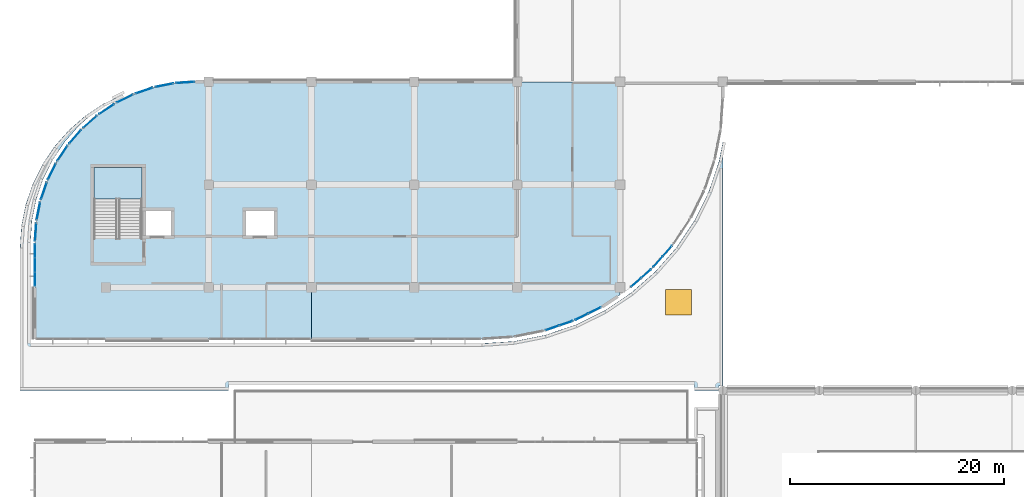
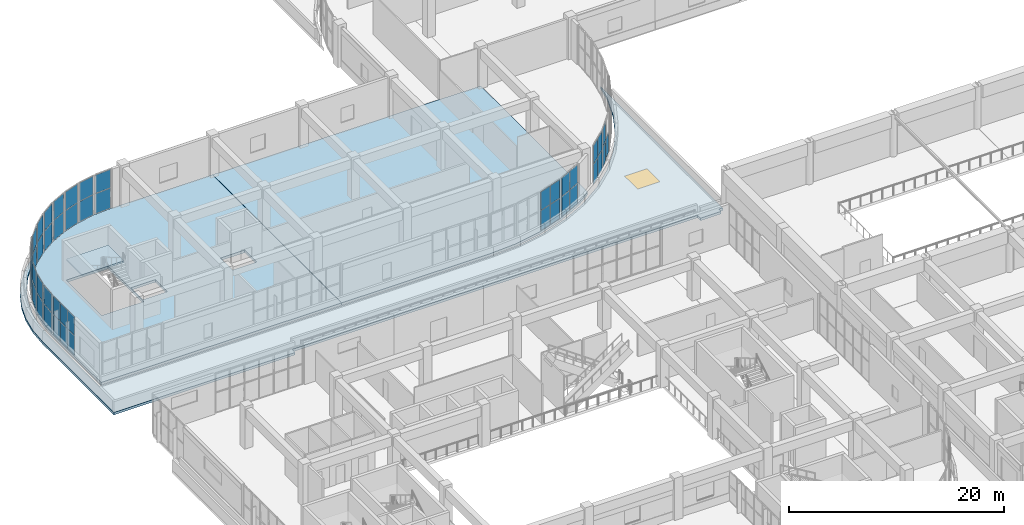
# One storey, part 50 of 96: 45 plates, 4 slabs, 1 window, 1 opening, 18 elements without a shape of their own.
"""IFC4 building model written with IfcOpenShell, lengths in metres."""

import ifcopenshell
import ifcopenshell.guid

model = None  # the IFC model being written
_history = None  # IfcOwnerHistory: only IFC2X3 demands one
_inside = {}  # id of a spatial element -> (the spatial element, [elements in it])
_under = {}  # id of a project, library or spatial element -> (it, [spatial elements below it])
_declared = {}  # id of a project -> (the project, [libraries it declares])
_typed = {}  # id of a type object -> (the type object, [elements of that type])
_made_of = {}  # id of a material, layer set ... -> (it, [elements and type objects made of it])


def new_model(schema):
    """Start an empty IFC model of exactly this schema.

    Asked for "IFC4X3", IfcOpenShell would pick the latest addendum, in which some entities
    have other attributes; the version numbers below select the first issue.
    IFC2X3 requires an IfcOwnerHistory on every rooted entity: one is made here for all.
    """
    global model, _history
    if schema == "IFC4X3":
        model = ifcopenshell.file(schema_version=(4, 3, 0, 0))
    else:
        model = ifcopenshell.file(schema=schema)
    _inside.clear()
    _under.clear()
    _declared.clear()
    _typed.clear()
    _made_of.clear()
    _history = None
    if model.schema == "IFC2X3":
        org = make("IfcOrganization", Name="unknown")
        user = make(
            "IfcPersonAndOrganization",
            ThePerson=make("IfcPerson", FamilyName="unknown"),
            TheOrganization=org,
        )
        app = make(
            "IfcApplication",
            ApplicationDeveloper=org,
            Version="unknown",
            ApplicationFullName="unknown",
            ApplicationIdentifier="unknown",
        )
        _history = make(
            "IfcOwnerHistory",
            OwningUser=user,
            OwningApplication=app,
            ChangeAction="ADDED",
            CreationDate=0,
        )
    return model


def make(cls, **values):
    """One entity of the class cls with the attributes given. An attribute that is None is left unset."""
    return model.create_entity(
        cls, **{name: value for name, value in values.items() if value is not None}
    )


def rooted(cls, **values):
    """An entity with a GlobalId (a new one), such as an element, a storey or a relation."""
    return make(cls, GlobalId=ifcopenshell.guid.new(), OwnerHistory=_history, **values)


def si_unit(unit_type, name, prefix=None):
    """IfcSIUnit, for example si_unit("LENGTHUNIT", "METRE", prefix="MILLI")."""
    return make("IfcSIUnit", UnitType=unit_type, Prefix=prefix, Name=name)


def assignment(units):
    """IfcUnitAssignment: the units of a project."""
    return None if units is None else make("IfcUnitAssignment", Units=units)


def point(xyz):
    """IfcCartesianPoint."""
    return None if xyz is None else make("IfcCartesianPoint", Coordinates=xyz)


def direction(xyz):
    """IfcDirection."""
    return None if xyz is None else make("IfcDirection", DirectionRatios=xyz)


def frame(location, z_axis=None, x_axis=None):
    """IfcAxis2Placement3D, a coordinate frame: its origin and axes. An axis left out is left unset."""
    return make(
        "IfcAxis2Placement3D",
        Location=point(location),
        Axis=direction(z_axis),
        RefDirection=direction(x_axis),
    )


def frame_2d(location, x_axis=None):
    """IfcAxis2Placement2D, a coordinate frame in the plane: its origin and x axis."""
    return make(
        "IfcAxis2Placement2D", Location=point(location), RefDirection=direction(x_axis)
    )


def origin():
    """The frame at (0, 0, 0) with its axes left unset."""
    return frame((0.0, 0.0, 0.0))


def origin_2d():
    """The frame at (0, 0) in the plane with its x axis left unset."""
    return frame_2d((0.0, 0.0))


def place(relative_to, where):
    """IfcLocalPlacement: puts the frame where relative to a parent placement (None: the world)."""
    return make(
        "IfcLocalPlacement", PlacementRelTo=relative_to, RelativePlacement=where
    )


def context(
    kind, dimensions, precision=None, world=None, true_north=None, identifier=None
):
    """IfcGeometricRepresentationContext, for example the 3D "Model" context."""
    return make(
        "IfcGeometricRepresentationContext",
        ContextIdentifier=identifier,
        ContextType=kind,
        CoordinateSpaceDimension=dimensions,
        Precision=precision,
        WorldCoordinateSystem=world,
        TrueNorth=true_north,
    )


def subcontext(parent, identifier, kind, view, scale=None):
    """IfcGeometricRepresentationSubContext, for example "Body" below "Model"."""
    return make(
        "IfcGeometricRepresentationSubContext",
        ContextIdentifier=identifier,
        ContextType=kind,
        ParentContext=parent,
        TargetScale=scale,
        TargetView=view,
    )


def project(units=None, contexts=None):
    """IfcProject with its units and contexts."""
    return rooted(
        "IfcProject",
        Name="project",
        RepresentationContexts=contexts,
        UnitsInContext=assignment(units),
    )


def spatial(cls, under=None, at=None, **own):
    """A site, building, storey or space (cls), placed at a placement, below another one or the project."""
    s = rooted(cls, ObjectPlacement=at, **own)
    if under is not None:
        _under.setdefault(under.id(), (under, []))[1].append(s)
    return s


def polyline(points):
    """IfcPolyline through the points."""
    return make("IfcPolyline", Points=[point(p) for p in points])


def profile(cls, at=None, kind="AREA", **sizes):
    """A parametric profile (cls). Its sizes go by their IFC names, for example OverallWidth=200.0."""
    return make(cls, ProfileType=kind, Position=at, **sizes)


def rectangle(**sizes):
    """IfcRectangleProfileDef."""
    return profile("IfcRectangleProfileDef", **sizes)


def outline(outer, holes=None, kind="AREA"):
    """IfcArbitraryClosedProfileDef: a profile drawn as a closed curve; with holes, ...WithVoids."""
    if holes is None:
        return make("IfcArbitraryClosedProfileDef", ProfileType=kind, OuterCurve=outer)
    return make(
        "IfcArbitraryProfileDefWithVoids",
        ProfileType=kind,
        OuterCurve=outer,
        InnerCurves=holes,
    )


def extrude(swept, where, along, depth):
    """IfcExtrudedAreaSolid: the profile swept, set in the frame where, extruded along a direction by depth."""
    return make(
        "IfcExtrudedAreaSolid",
        SweptArea=swept,
        Position=where,
        ExtrudedDirection=direction(along),
        Depth=depth,
    )


def shape(context_of_items, identifier, shape_type, items):
    """IfcShapeRepresentation: the items that make up one representation, for example the "Body"."""
    return make(
        "IfcShapeRepresentation",
        ContextOfItems=context_of_items,
        RepresentationIdentifier=identifier,
        RepresentationType=shape_type,
        Items=items,
    )


def material(Name=None, Category=None):
    """IfcMaterial."""
    return make("IfcMaterial", Name=Name, Category=Category)


def layer(
    of_material, thickness, ventilated=None, Name=None, Category=None, Priority=None
):
    """IfcMaterialLayer: one layer of a wall or slab, of a material (None: an air gap)."""
    return make(
        "IfcMaterialLayer",
        Material=of_material,
        LayerThickness=thickness,
        IsVentilated=ventilated,
        Name=Name,
        Category=Category,
        Priority=Priority,
    )


def layer_set(layers, Name=None):
    """IfcMaterialLayerSet."""
    return make("IfcMaterialLayerSet", MaterialLayers=layers, LayerSetName=Name)


def made_of(thing, what):
    """Note that an element or type object is made of a material, layer set ...; save() writes the relation."""
    if what is not None:
        _made_of.setdefault(what.id(), (what, []))[1].append(thing)
    return thing


def type_object(cls, material=None, **own):
    """A type object (cls), such as IfcWallType, which elements share."""
    return made_of(rooted(cls, **own), material)


def element(
    cls,
    number,
    at=None,
    inside=None,
    cuts=None,
    type_object=None,
    material=None,
    context=None,
    identifier="Body",
    shape_type=None,
    held_by="IfcProductDefinitionShape",
    body=None,
    shapes=None,
    **own,
):
    """One element of the class cls, such as IfcWall. Its Tag is "e" and its number.

    at: its placement. inside: the storey or other place that contains it. cuts: it is an
    opening in that element (IfcRelVoidsElement). A single representation is given by context,
    identifier, shape_type and body (its items); several are given by shapes. held_by: the class
    of the entity that holds the representations. save() writes the other relations.
    """
    e = rooted(cls, Tag="e%d" % number, ObjectPlacement=at, **own)
    if body is not None:
        shapes = [shape(context, identifier, shape_type, body)]
    if shapes is not None:
        e.Representation = make(held_by, Representations=shapes)
    if inside is not None:
        _inside.setdefault(inside.id(), (inside, []))[1].append(e)
    if cuts is not None:
        rooted(
            "IfcRelVoidsElement", RelatingBuildingElement=cuts, RelatedOpeningElement=e
        )
    if type_object is not None:
        _typed.setdefault(type_object.id(), (type_object, []))[1].append(e)
    return made_of(e, material)


def fill(opening, filler):
    """IfcRelFillsElement: the door or window that sits in an opening."""
    return rooted(
        "IfcRelFillsElement",
        RelatingOpeningElement=opening,
        RelatedBuildingElement=filler,
    )


def aggregate(whole, parts):
    """IfcRelAggregates: a whole, such as a stair, and the parts it consists of."""
    return rooted("IfcRelAggregates", RelatingObject=whole, RelatedObjects=parts)


def save(model, path):
    """Write the relations noted so far, then the file.

    IfcRelAggregates (storeys below a building ...), IfcRelContainedInSpatialStructure (elements
    in a storey), IfcRelDefinesByType, IfcRelAssociatesMaterial and IfcRelDeclares: one each for
    every whole, place, type object, material and project.
    """
    for whole, parts in _under.values():
        aggregate(whole, parts)
    for where, things in _inside.values():
        rooted(
            "IfcRelContainedInSpatialStructure",
            RelatedElements=things,
            RelatingStructure=where,
        )
    for kind, things in _typed.values():
        rooted("IfcRelDefinesByType", RelatedObjects=things, RelatingType=kind)
    for what, things in _made_of.values():
        rooted("IfcRelAssociatesMaterial", RelatedObjects=things, RelatingMaterial=what)
    for by, libraries in _declared.values():
        rooted("IfcRelDeclares", RelatingContext=by, RelatedDefinitions=libraries)
    model.write(path)


model = new_model("IFC4")

# Units and contexts
model_context = context("Model", 3, precision=1e-05, world=origin(), true_north=direction((0.0, 1.0)))
body_context = subcontext(model_context, "Body", "Model", "MODEL_VIEW")
ifc_project = project(units=[si_unit("LENGTHUNIT", "METRE"), si_unit("AREAUNIT", "SQUARE_METRE"), si_unit("VOLUMEUNIT", "CUBIC_METRE"), si_unit("PLANEANGLEUNIT", "RADIAN"), si_unit("MASSUNIT", "GRAM", prefix="KILO")], contexts=[model_context])

# Site, building, storey
site_placement = place(None, origin())
site = spatial("IfcSite", under=ifc_project, at=site_placement, CompositionType="ELEMENT")
building_placement = place(site_placement, origin())
building = spatial("IfcBuilding", under=site, at=building_placement, Name="Cendralis Terraced Arcade", CompositionType="ELEMENT")
storey_placement = place(building_placement, frame((0.0, 0.0, 10.199951171875)))
storey = spatial("IfcBuildingStorey", under=building, at=storey_placement, Name="L02", CompositionType="ELEMENT", Elevation=10.199951171875)

# Curtain wall, plates
ifc_material_1 = material(Name="Anodised aluminium EN AW-6063 T6", Category="aluminium")
ifc_layer_1 = layer(ifc_material_1, 0.1201171875, Name="CW-STORE-B")
ifc_layer_set_1 = layer_set([ifc_layer_1], Name="Anodised aluminium EN AW-6063 T6")
curtain_wall_type_1 = type_object("IfcCurtainWallType", Name="CW-STORE-B", PredefinedType="USERDEFINED", material=ifc_layer_set_1)
curtain_wall_1_placement = place(storey_placement, origin())
curtain_wall_1 = element("IfcCurtainWall", 1, at=curtain_wall_1_placement, inside=storey, type_object=curtain_wall_type_1, Name="Exterior Storefront Glazing CW-L02-0130", ObjectType="STOREFRONT GLAZING", PredefinedType="USERDEFINED")
ifc_material_2 = material(Name="Tempered solar control laminated glass", Category="glass")
ifc_layer_2 = layer(ifc_material_2, 0.02392578125, Name="CW-STORE-B-PNL")
ifc_layer_set_2 = layer_set([ifc_layer_2], Name="Tempered solar control laminated glass")
plate_type_1 = type_object("IfcPlateType", Name="CW-STORE-B-PNL", PredefinedType="CURTAIN_PANEL", material=ifc_layer_set_2)
plate_1_placement = place(storey_placement, frame((3.0, 70.373779296875, 0.05517578125), z_axis=(0.0, 0.0, 1.0), x_axis=(0.0, 1.0, 0.0)))
plate_1 = element("IfcPlate", 2, at=plate_1_placement, type_object=plate_type_1, Name="CW-S2 panel 1.1", PredefinedType="CURTAIN_PANEL", context=body_context, shape_type="SweptSolid", body=[
    extrude(rectangle(XDim=1.257568359375, YDim=0.02392578125, at=origin_2d()), origin(), (0.0, 0.0, 1.0), 2.265380859375),
])
plate_2_placement = place(storey_placement, frame((3.0, 70.373779296875, 2.37548828125), z_axis=(0.0, 0.0, 1.0), x_axis=(0.0, 1.0, 0.0)))
plate_2 = element("IfcPlate", 3, at=plate_2_placement, type_object=plate_type_1, Name="CW-S2 panel 1.2", PredefinedType="CURTAIN_PANEL", context=body_context, shape_type="SweptSolid", body=[
    extrude(rectangle(XDim=1.257568359375, YDim=0.02392578125, at=origin_2d()), origin(), (0.0, 0.0, 1.0), 2.084716796875),
])
plate_3_placement = place(storey_placement, frame((3.0, 71.699951171875, 0.05517578125), z_axis=(0.0, 0.0, 1.0), x_axis=(0.0, 1.0, 0.0)))
plate_3 = element("IfcPlate", 4, at=plate_3_placement, type_object=plate_type_1, Name="CW-S2 panel 2.1", PredefinedType="CURTAIN_PANEL", context=body_context, shape_type="SweptSolid", body=[
    extrude(rectangle(XDim=1.284912109375, YDim=0.02392578125, at=origin_2d()), origin(), (0.0, 0.0, 1.0), 2.265380859375),
])
plate_4_placement = place(storey_placement, frame((3.0, 71.699951171875, 2.37548828125), z_axis=(0.0, 0.0, 1.0), x_axis=(0.0, 1.0, 0.0)))
plate_4 = element("IfcPlate", 5, at=plate_4_placement, type_object=plate_type_1, Name="CW-S2 panel 2.2", PredefinedType="CURTAIN_PANEL", context=body_context, shape_type="SweptSolid", body=[
    extrude(rectangle(XDim=1.284912109375, YDim=0.02392578125, at=origin_2d()), origin(), (0.0, 0.0, 1.0), 2.084716796875),
])
plate_5_placement = place(storey_placement, frame((3.0, 73.0263671875, 0.05517578125), z_axis=(0.0, 0.0, 1.0), x_axis=(0.0, 1.0, 0.0)))
plate_5 = element("IfcPlate", 6, at=plate_5_placement, type_object=plate_type_1, Name="CW-S2 panel 3.1", PredefinedType="CURTAIN_PANEL", context=body_context, shape_type="SweptSolid", body=[
    extrude(rectangle(XDim=1.257568359375, YDim=0.02392578125, at=origin_2d()), origin(), (0.0, 0.0, 1.0), 2.265380859375),
])
plate_6_placement = place(storey_placement, frame((3.0, 73.0263671875, 2.37548828125), z_axis=(0.0, 0.0, 1.0), x_axis=(0.0, 1.0, 0.0)))
plate_6 = element("IfcPlate", 7, at=plate_6_placement, type_object=plate_type_1, Name="CW-S2 panel 3.2", PredefinedType="CURTAIN_PANEL", context=body_context, shape_type="SweptSolid", body=[
    extrude(rectangle(XDim=1.257568359375, YDim=0.02392578125, at=origin_2d()), origin(), (0.0, 0.0, 1.0), 2.084716796875),
])
aggregate(curtain_wall_1, [plate_1, plate_2, plate_3, plate_4, plate_5, plate_6])

ifc_layer_3 = layer(ifc_material_1, 0.179931640625, Name="CW-UNIT-A")
ifc_layer_set_3 = layer_set([ifc_layer_3], Name="Anodised aluminium EN AW-6063 T6")
curtain_wall_type_2 = type_object("IfcCurtainWallType", Name="CW-UNIT-A", PredefinedType="USERDEFINED", material=ifc_layer_set_3)
curtain_wall_2_placement = place(storey_placement, origin())
curtain_wall_2 = element("IfcCurtainWall", 8, at=curtain_wall_2_placement, inside=storey, type_object=curtain_wall_type_2, Name="Exterior Unitised Facade CW-L02-0121", ObjectType="UNITISED FACADE", PredefinedType="USERDEFINED")
ifc_layer_4 = layer(ifc_material_2, 0.035888671875, Name="CW-UNIT-A-PNL")
ifc_layer_set_4 = layer_set([ifc_layer_4], Name="Tempered solar control laminated glass")
plate_type_2 = type_object("IfcPlateType", Name="CW-UNIT-A-PNL", PredefinedType="CURTAIN_PANEL", material=ifc_layer_set_4)
plate_7_placement = place(storey_placement, frame((62.02490234375, 73.003662109375, 0.06494140625), z_axis=(0.0, 0.0, 1.0), x_axis=(-0.659380406029, -0.75180947064, 0.0)))
plate_7 = element("IfcPlate", 9, at=plate_7_placement, type_object=plate_type_2, Name="CW-U1 panel 1.1", PredefinedType="CURTAIN_PANEL", context=body_context, shape_type="SweptSolid", body=[
    extrude(rectangle(XDim=1.2841796875, YDim=0.035888671875, at=origin_2d()), origin(), (0.0, 0.0, 1.0), 2.250244140625),
])
plate_8_placement = place(storey_placement, frame((61.135498046875, 71.9892578125, 0.06494140625), z_axis=(0.0, 0.0, 1.0), x_axis=(-0.659380406029, -0.75180947064, 0.0)))
plate_8 = element("IfcPlate", 10, at=plate_8_placement, type_object=plate_type_2, Name="CW-U1 panel 2.1", PredefinedType="CURTAIN_PANEL", context=body_context, shape_type="SweptSolid", body=[
    extrude(rectangle(XDim=1.2841796875, YDim=0.035888671875, at=origin_2d()), origin(), (0.0, 0.0, 1.0), 2.250244140625),
])
plate_9_placement = place(storey_placement, frame((61.135498046875, 71.9892578125, 2.38037109375), z_axis=(0.0, 0.0, 1.0), x_axis=(-0.659380406029, -0.75180947064, 0.0)))
plate_9 = element("IfcPlate", 11, at=plate_9_placement, type_object=plate_type_2, Name="CW-U1 panel 2.2", PredefinedType="CURTAIN_PANEL", context=body_context, shape_type="SweptSolid", body=[
    extrude(rectangle(XDim=1.2841796875, YDim=0.035888671875, at=origin_2d()), origin(), (0.0, 0.0, 1.0), 2.069580078125),
])
aggregate(curtain_wall_2, [plate_7, plate_8, plate_9])

curtain_wall_3_placement = place(storey_placement, origin())
curtain_wall_3 = element("IfcCurtainWall", 12, at=curtain_wall_3_placement, inside=storey, type_object=curtain_wall_type_2, Name="Exterior Unitised Facade CW-L02-0122", ObjectType="UNITISED FACADE", PredefinedType="USERDEFINED")
plate_10_placement = place(storey_placement, frame((60.042724609375, 70.892578125, 0.06494140625), z_axis=(0.0, 0.0, 1.0), x_axis=(-0.751816466794, -0.6593724291, 0.0)))
plate_10 = element("IfcPlate", 13, at=plate_10_placement, type_object=plate_type_2, Name="CW-U1 panel 1.1", PredefinedType="CURTAIN_PANEL", context=body_context, shape_type="SweptSolid", body=[
    extrude(rectangle(XDim=1.198974609375, YDim=0.035888671875, at=origin_2d()), origin(), (0.0, 0.0, 1.0), 2.250244140625),
])
plate_11_placement = place(storey_placement, frame((60.042724609375, 70.892578125, 2.38037109375), z_axis=(0.0, 0.0, 1.0), x_axis=(-0.751816466794, -0.6593724291, 0.0)))
plate_11 = element("IfcPlate", 14, at=plate_11_placement, type_object=plate_type_2, Name="CW-U1 panel 1.2", PredefinedType="CURTAIN_PANEL", context=body_context, shape_type="SweptSolid", body=[
    extrude(rectangle(XDim=1.198974609375, YDim=0.035888671875, at=origin_2d()), origin(), (0.0, 0.0, 1.0), 2.069580078125),
])
plate_12_placement = place(storey_placement, frame((59.09228515625, 70.059326171875, 0.06494140625), z_axis=(0.0, 0.0, 1.0), x_axis=(-0.751816466794, -0.6593724291, 0.0)))
plate_12 = element("IfcPlate", 15, at=plate_12_placement, type_object=plate_type_2, Name="CW-U1 panel 2.1", PredefinedType="CURTAIN_PANEL", context=body_context, shape_type="SweptSolid", body=[
    extrude(rectangle(XDim=1.198974609375, YDim=0.035888671875, at=origin_2d()), origin(), (0.0, 0.0, 1.0), 2.250244140625),
])
plate_13_placement = place(storey_placement, frame((59.09228515625, 70.059326171875, 2.38037109375), z_axis=(0.0, 0.0, 1.0), x_axis=(-0.751816466794, -0.6593724291, 0.0)))
plate_13 = element("IfcPlate", 16, at=plate_13_placement, type_object=plate_type_2, Name="CW-U1 panel 2.2", PredefinedType="CURTAIN_PANEL", context=body_context, shape_type="SweptSolid", body=[
    extrude(rectangle(XDim=1.198974609375, YDim=0.035888671875, at=origin_2d()), origin(), (0.0, 0.0, 1.0), 2.069580078125),
])
aggregate(curtain_wall_3, [plate_10, plate_11, plate_12, plate_13])

curtain_wall_4_placement = place(storey_placement, origin())
curtain_wall_4 = element("IfcCurtainWall", 17, at=curtain_wall_4_placement, inside=storey, type_object=curtain_wall_type_2, Name="Exterior Unitised Facade CW-L02-0123", ObjectType="UNITISED FACADE", PredefinedType="USERDEFINED")
plate_14_placement = place(storey_placement, frame((55.235107421875, 67.4619140625, 0.06494140625), z_axis=(0.0, 0.0, 1.0), x_axis=(-0.896874607047, -0.442284907309, 0.0)))
plate_14 = element("IfcPlate", 18, at=plate_14_placement, type_object=plate_type_2, Name="CW-U1 panel 1.1", PredefinedType="CURTAIN_PANEL", context=body_context, shape_type="SweptSolid", body=[
    extrude(rectangle(XDim=1.2841796875, YDim=0.035888671875, at=origin_2d()), origin(), (0.0, 0.0, 1.0), 2.250244140625),
])
plate_15_placement = place(storey_placement, frame((55.235107421875, 67.4619140625, 2.38037109375), z_axis=(0.0, 0.0, 1.0), x_axis=(-0.896874607047, -0.442284907309, 0.0)))
plate_15 = element("IfcPlate", 19, at=plate_15_placement, type_object=plate_type_2, Name="CW-U1 panel 1.2", PredefinedType="CURTAIN_PANEL", context=body_context, shape_type="SweptSolid", body=[
    extrude(rectangle(XDim=1.2841796875, YDim=0.035888671875, at=origin_2d()), origin(), (0.0, 0.0, 1.0), 2.069580078125),
])
plate_16_placement = place(storey_placement, frame((54.025146484375, 66.865234375, 0.06494140625), z_axis=(0.0, 0.0, 1.0), x_axis=(-0.896874607047, -0.442284907309, 0.0)))
plate_16 = element("IfcPlate", 20, at=plate_16_placement, type_object=plate_type_2, Name="CW-U1 panel 2.1", PredefinedType="CURTAIN_PANEL", context=body_context, shape_type="SweptSolid", body=[
    extrude(rectangle(XDim=1.2841796875, YDim=0.035888671875, at=origin_2d()), origin(), (0.0, 0.0, 1.0), 2.250244140625),
])
plate_17_placement = place(storey_placement, frame((54.025146484375, 66.865234375, 2.38037109375), z_axis=(0.0, 0.0, 1.0), x_axis=(-0.896874607047, -0.442284907309, 0.0)))
plate_17 = element("IfcPlate", 21, at=plate_17_placement, type_object=plate_type_2, Name="CW-U1 panel 2.2", PredefinedType="CURTAIN_PANEL", context=body_context, shape_type="SweptSolid", body=[
    extrude(rectangle(XDim=1.2841796875, YDim=0.035888671875, at=origin_2d()), origin(), (0.0, 0.0, 1.0), 2.069580078125),
])
aggregate(curtain_wall_4, [plate_14, plate_15, plate_16, plate_17])

curtain_wall_5_placement = place(storey_placement, origin())
curtain_wall_5 = element("IfcCurtainWall", 22, at=curtain_wall_5_placement, inside=storey, type_object=curtain_wall_type_2, Name="Exterior Unitised Facade CW-L02-0124", ObjectType="UNITISED FACADE", PredefinedType="USERDEFINED")
plate_18_placement = place(storey_placement, frame((52.5556640625, 66.256591796875, 0.06494140625), z_axis=(0.0, 0.0, 1.0), x_axis=(-0.94693189345, -0.321434268814, 0.0)))
plate_18 = element("IfcPlate", 23, at=plate_18_placement, type_object=plate_type_2, Name="CW-U1 panel 1.1", PredefinedType="CURTAIN_PANEL", context=body_context, shape_type="SweptSolid", body=[
    extrude(rectangle(XDim=1.2841796875, YDim=0.035888671875, at=origin_2d()), origin(), (0.0, 0.0, 1.0), 2.250244140625),
])
plate_19_placement = place(storey_placement, frame((52.5556640625, 66.256591796875, 2.38037109375), z_axis=(0.0, 0.0, 1.0), x_axis=(-0.94693189345, -0.321434268814, 0.0)))
plate_19 = element("IfcPlate", 24, at=plate_19_placement, type_object=plate_type_2, Name="CW-U1 panel 1.2", PredefinedType="CURTAIN_PANEL", context=body_context, shape_type="SweptSolid", body=[
    extrude(rectangle(XDim=1.2841796875, YDim=0.035888671875, at=origin_2d()), origin(), (0.0, 0.0, 1.0), 2.069580078125),
])
plate_20_placement = place(storey_placement, frame((51.278076171875, 65.82275390625, 0.06494140625), z_axis=(0.0, 0.0, 1.0), x_axis=(-0.94693189345, -0.321434268814, 0.0)))
plate_20 = element("IfcPlate", 25, at=plate_20_placement, type_object=plate_type_2, Name="CW-U1 panel 2.1", PredefinedType="CURTAIN_PANEL", context=body_context, shape_type="SweptSolid", body=[
    extrude(rectangle(XDim=1.2841796875, YDim=0.035888671875, at=origin_2d()), origin(), (0.0, 0.0, 1.0), 2.250244140625),
])
plate_21_placement = place(storey_placement, frame((51.278076171875, 65.82275390625, 2.38037109375), z_axis=(0.0, 0.0, 1.0), x_axis=(-0.94693189345, -0.321434268814, 0.0)))
plate_21 = element("IfcPlate", 26, at=plate_21_placement, type_object=plate_type_2, Name="CW-U1 panel 2.2", PredefinedType="CURTAIN_PANEL", context=body_context, shape_type="SweptSolid", body=[
    extrude(rectangle(XDim=1.2841796875, YDim=0.035888671875, at=origin_2d()), origin(), (0.0, 0.0, 1.0), 2.069580078125),
])
aggregate(curtain_wall_5, [plate_18, plate_19, plate_20, plate_21])

curtain_wall_6_placement = place(storey_placement, origin())
curtain_wall_6 = element("IfcCurtainWall", 27, at=curtain_wall_6_placement, inside=storey, type_object=curtain_wall_type_2, Name="Exterior Unitised Facade CW-L02-0131", ObjectType="UNITISED FACADE", PredefinedType="USERDEFINED")
plate_22_placement = place(storey_placement, frame((3.064208984375, 74.779052734375, 0.06494140625), z_axis=(0.0, 0.0, 1.0), x_axis=(0.065371873798, 0.997860971336, 0.0)))
plate_22 = element("IfcPlate", 28, at=plate_22_placement, type_object=plate_type_2, Name="CW-U1 panel 1.1", PredefinedType="CURTAIN_PANEL", context=body_context, shape_type="SweptSolid", body=[
    extrude(rectangle(XDim=1.652099609375, YDim=0.035888671875, at=origin_2d()), origin(), (0.0, 0.0, 1.0), 2.250244140625),
])
plate_23_placement = place(storey_placement, frame((3.064208984375, 74.779052734375, 2.38037109375), z_axis=(0.0, 0.0, 1.0), x_axis=(0.065371873798, 0.997860971336, 0.0)))
plate_23 = element("IfcPlate", 29, at=plate_23_placement, type_object=plate_type_2, Name="CW-U1 panel 1.2", PredefinedType="CURTAIN_PANEL", context=body_context, shape_type="SweptSolid", body=[
    extrude(rectangle(XDim=1.652099609375, YDim=0.035888671875, at=origin_2d()), origin(), (0.0, 0.0, 1.0), 2.069580078125),
])
aggregate(curtain_wall_6, [plate_22, plate_23])

curtain_wall_7_placement = place(storey_placement, origin())
curtain_wall_7 = element("IfcCurtainWall", 30, at=curtain_wall_7_placement, inside=storey, type_object=curtain_wall_type_2, Name="Exterior Unitised Facade CW-L02-0132", ObjectType="UNITISED FACADE", PredefinedType="USERDEFINED")
plate_24_placement = place(storey_placement, frame((3.319580078125, 76.72021484375, 0.06494140625), z_axis=(0.0, 0.0, 1.0), x_axis=(0.195058454434, 0.980791618721, 0.0)))
plate_24 = element("IfcPlate", 31, at=plate_24_placement, type_object=plate_type_2, Name="CW-U1 panel 1.1", PredefinedType="CURTAIN_PANEL", context=body_context, shape_type="SweptSolid", body=[
    extrude(rectangle(XDim=1.652099609375, YDim=0.035888671875, at=origin_2d()), origin(), (0.0, 0.0, 1.0), 2.250244140625),
])
plate_25_placement = place(storey_placement, frame((3.319580078125, 76.72021484375, 2.38037109375), z_axis=(0.0, 0.0, 1.0), x_axis=(0.195058454434, 0.980791618721, 0.0)))
plate_25 = element("IfcPlate", 32, at=plate_25_placement, type_object=plate_type_2, Name="CW-U1 panel 1.2", PredefinedType="CURTAIN_PANEL", context=body_context, shape_type="SweptSolid", body=[
    extrude(rectangle(XDim=1.652099609375, YDim=0.035888671875, at=origin_2d()), origin(), (0.0, 0.0, 1.0), 2.069580078125),
])
aggregate(curtain_wall_7, [plate_24, plate_25])

curtain_wall_8_placement = place(storey_placement, origin())
curtain_wall_8 = element("IfcCurtainWall", 33, at=curtain_wall_8_placement, inside=storey, type_object=curtain_wall_type_2, Name="Exterior Unitised Facade CW-L02-0133", ObjectType="UNITISED FACADE", PredefinedType="USERDEFINED")
plate_26_placement = place(storey_placement, frame((3.826416015625, 78.611328125, 0.06494140625), z_axis=(0.0, 0.0, 1.0), x_axis=(0.321458077458, 0.946923811316, 0.0)))
plate_26 = element("IfcPlate", 34, at=plate_26_placement, type_object=plate_type_2, Name="CW-U1 panel 1.1", PredefinedType="CURTAIN_PANEL", context=body_context, shape_type="SweptSolid", body=[
    extrude(rectangle(XDim=1.652099609375, YDim=0.035888671875, at=origin_2d()), origin(), (0.0, 0.0, 1.0), 2.250244140625),
])
plate_27_placement = place(storey_placement, frame((3.826416015625, 78.611328125, 2.38037109375), z_axis=(0.0, 0.0, 1.0), x_axis=(0.321458077458, 0.946923811316, 0.0)))
plate_27 = element("IfcPlate", 35, at=plate_27_placement, type_object=plate_type_2, Name="CW-U1 panel 1.2", PredefinedType="CURTAIN_PANEL", context=body_context, shape_type="SweptSolid", body=[
    extrude(rectangle(XDim=1.652099609375, YDim=0.035888671875, at=origin_2d()), origin(), (0.0, 0.0, 1.0), 2.069580078125),
])
aggregate(curtain_wall_8, [plate_26, plate_27])

curtain_wall_9_placement = place(storey_placement, origin())
curtain_wall_9 = element("IfcCurtainWall", 36, at=curtain_wall_9_placement, inside=storey, type_object=curtain_wall_type_2, Name="Exterior Unitised Facade CW-L02-0134", ObjectType="UNITISED FACADE", PredefinedType="USERDEFINED")
plate_28_placement = place(storey_placement, frame((4.57568359375, 80.420166015625, 0.06494140625), z_axis=(0.0, 0.0, 1.0), x_axis=(0.442291247495, 0.896871480419, 0.0)))
plate_28 = element("IfcPlate", 37, at=plate_28_placement, type_object=plate_type_2, Name="CW-U1 panel 1.1", PredefinedType="CURTAIN_PANEL", context=body_context, shape_type="SweptSolid", body=[
    extrude(rectangle(XDim=1.652099609375, YDim=0.035888671875, at=origin_2d()), origin(), (0.0, 0.0, 1.0), 2.250244140625),
])
plate_29_placement = place(storey_placement, frame((4.57568359375, 80.420166015625, 2.38037109375), z_axis=(0.0, 0.0, 1.0), x_axis=(0.442291247495, 0.896871480419, 0.0)))
plate_29 = element("IfcPlate", 38, at=plate_29_placement, type_object=plate_type_2, Name="CW-U1 panel 1.2", PredefinedType="CURTAIN_PANEL", context=body_context, shape_type="SweptSolid", body=[
    extrude(rectangle(XDim=1.652099609375, YDim=0.035888671875, at=origin_2d()), origin(), (0.0, 0.0, 1.0), 2.069580078125),
])
aggregate(curtain_wall_9, [plate_28, plate_29])

curtain_wall_10_placement = place(storey_placement, origin())
curtain_wall_10 = element("IfcCurtainWall", 39, at=curtain_wall_10_placement, inside=storey, type_object=curtain_wall_type_2, Name="Exterior Unitised Facade CW-L02-0135", ObjectType="UNITISED FACADE", PredefinedType="USERDEFINED")
plate_30_placement = place(storey_placement, frame((5.5546875, 82.11572265625, 0.06494140625), z_axis=(0.0, 0.0, 1.0), x_axis=(0.555567476528, 0.831471454125, 0.0)))
plate_30 = element("IfcPlate", 40, at=plate_30_placement, type_object=plate_type_2, Name="CW-U1 panel 1.1", PredefinedType="CURTAIN_PANEL", context=body_context, shape_type="SweptSolid", body=[
    extrude(rectangle(XDim=1.652099609375, YDim=0.035888671875, at=origin_2d()), origin(), (0.0, 0.0, 1.0), 2.250244140625),
])
plate_31_placement = place(storey_placement, frame((5.5546875, 82.11572265625, 2.38037109375), z_axis=(0.0, 0.0, 1.0), x_axis=(0.555567476528, 0.831471454125, 0.0)))
plate_31 = element("IfcPlate", 41, at=plate_31_placement, type_object=plate_type_2, Name="CW-U1 panel 1.2", PredefinedType="CURTAIN_PANEL", context=body_context, shape_type="SweptSolid", body=[
    extrude(rectangle(XDim=1.652099609375, YDim=0.035888671875, at=origin_2d()), origin(), (0.0, 0.0, 1.0), 2.069580078125),
])
aggregate(curtain_wall_10, [plate_30, plate_31])

curtain_wall_11_placement = place(storey_placement, origin())
curtain_wall_11 = element("IfcCurtainWall", 42, at=curtain_wall_11_placement, inside=storey, type_object=curtain_wall_type_2, Name="Exterior Unitised Facade CW-L02-0136", ObjectType="UNITISED FACADE", PredefinedType="USERDEFINED")
plate_32_placement = place(storey_placement, frame((6.74658203125, 83.6689453125, 0.06494140625), z_axis=(0.0, 0.0, 1.0), x_axis=(0.659386076266, 0.751804497477, 0.0)))
plate_32 = element("IfcPlate", 43, at=plate_32_placement, type_object=plate_type_2, Name="CW-U1 panel 1.1", PredefinedType="CURTAIN_PANEL", context=body_context, shape_type="SweptSolid", body=[
    extrude(rectangle(XDim=1.652099609375, YDim=0.035888671875, at=origin_2d()), origin(), (0.0, 0.0, 1.0), 2.250244140625),
])
plate_33_placement = place(storey_placement, frame((6.74658203125, 83.6689453125, 2.38037109375), z_axis=(0.0, 0.0, 1.0), x_axis=(0.659386076266, 0.751804497477, 0.0)))
plate_33 = element("IfcPlate", 44, at=plate_33_placement, type_object=plate_type_2, Name="CW-U1 panel 1.2", PredefinedType="CURTAIN_PANEL", context=body_context, shape_type="SweptSolid", body=[
    extrude(rectangle(XDim=1.652099609375, YDim=0.035888671875, at=origin_2d()), origin(), (0.0, 0.0, 1.0), 2.069580078125),
])
aggregate(curtain_wall_11, [plate_32, plate_33])

curtain_wall_12_placement = place(storey_placement, origin())
curtain_wall_12 = element("IfcCurtainWall", 45, at=curtain_wall_12_placement, inside=storey, type_object=curtain_wall_type_2, Name="Exterior Unitised Facade CW-L02-0137", ObjectType="UNITISED FACADE", PredefinedType="USERDEFINED")
plate_34_placement = place(storey_placement, frame((8.131103515625, 85.053466796875, 0.06494140625), z_axis=(0.0, 0.0, 1.0), x_axis=(0.751804497477, 0.659386076266, 0.0)))
plate_34 = element("IfcPlate", 46, at=plate_34_placement, type_object=plate_type_2, Name="CW-U1 panel 1.1", PredefinedType="CURTAIN_PANEL", context=body_context, shape_type="SweptSolid", body=[
    extrude(rectangle(XDim=1.652099609375, YDim=0.035888671875, at=origin_2d()), origin(), (0.0, 0.0, 1.0), 2.250244140625),
])
plate_35_placement = place(storey_placement, frame((8.131103515625, 85.053466796875, 2.38037109375), z_axis=(0.0, 0.0, 1.0), x_axis=(0.751804497477, 0.659386076266, 0.0)))
plate_35 = element("IfcPlate", 47, at=plate_35_placement, type_object=plate_type_2, Name="CW-U1 panel 1.2", PredefinedType="CURTAIN_PANEL", context=body_context, shape_type="SweptSolid", body=[
    extrude(rectangle(XDim=1.652099609375, YDim=0.035888671875, at=origin_2d()), origin(), (0.0, 0.0, 1.0), 2.069580078125),
])
aggregate(curtain_wall_12, [plate_34, plate_35])

curtain_wall_13_placement = place(storey_placement, origin())
curtain_wall_13 = element("IfcCurtainWall", 48, at=curtain_wall_13_placement, inside=storey, type_object=curtain_wall_type_2, Name="Exterior Unitised Facade CW-L02-0138", ObjectType="UNITISED FACADE", PredefinedType="USERDEFINED")
plate_36_placement = place(storey_placement, frame((9.684326171875, 86.245361328125, 0.06494140625), z_axis=(0.0, 0.0, 1.0), x_axis=(0.831471454125, 0.555567476528, 0.0)))
plate_36 = element("IfcPlate", 49, at=plate_36_placement, type_object=plate_type_2, Name="CW-U1 panel 1.1", PredefinedType="CURTAIN_PANEL", context=body_context, shape_type="SweptSolid", body=[
    extrude(rectangle(XDim=1.652099609375, YDim=0.035888671875, at=origin_2d()), origin(), (0.0, 0.0, 1.0), 2.250244140625),
])
plate_37_placement = place(storey_placement, frame((9.684326171875, 86.245361328125, 2.38037109375), z_axis=(0.0, 0.0, 1.0), x_axis=(0.831471454125, 0.555567476528, 0.0)))
plate_37 = element("IfcPlate", 50, at=plate_37_placement, type_object=plate_type_2, Name="CW-U1 panel 1.2", PredefinedType="CURTAIN_PANEL", context=body_context, shape_type="SweptSolid", body=[
    extrude(rectangle(XDim=1.652099609375, YDim=0.035888671875, at=origin_2d()), origin(), (0.0, 0.0, 1.0), 2.069580078125),
])
aggregate(curtain_wall_13, [plate_36, plate_37])

curtain_wall_14_placement = place(storey_placement, origin())
curtain_wall_14 = element("IfcCurtainWall", 51, at=curtain_wall_14_placement, inside=storey, type_object=curtain_wall_type_2, Name="Exterior Unitised Facade CW-L02-0139", ObjectType="UNITISED FACADE", PredefinedType="USERDEFINED")
plate_38_placement = place(storey_placement, frame((11.3798828125, 87.224365234375, 0.06494140625), z_axis=(0.0, 0.0, 1.0), x_axis=(0.896871480419, 0.442291247495, 0.0)))
plate_38 = element("IfcPlate", 52, at=plate_38_placement, type_object=plate_type_2, Name="CW-U1 panel 1.1", PredefinedType="CURTAIN_PANEL", context=body_context, shape_type="SweptSolid", body=[
    extrude(rectangle(XDim=1.652099609375, YDim=0.035888671875, at=origin_2d()), origin(), (0.0, 0.0, 1.0), 2.250244140625),
])
plate_39_placement = place(storey_placement, frame((11.3798828125, 87.224365234375, 2.38037109375), z_axis=(0.0, 0.0, 1.0), x_axis=(0.896871480419, 0.442291247495, 0.0)))
plate_39 = element("IfcPlate", 53, at=plate_39_placement, type_object=plate_type_2, Name="CW-U1 panel 1.2", PredefinedType="CURTAIN_PANEL", context=body_context, shape_type="SweptSolid", body=[
    extrude(rectangle(XDim=1.652099609375, YDim=0.035888671875, at=origin_2d()), origin(), (0.0, 0.0, 1.0), 2.069580078125),
])
aggregate(curtain_wall_14, [plate_38, plate_39])

curtain_wall_15_placement = place(storey_placement, origin())
curtain_wall_15 = element("IfcCurtainWall", 54, at=curtain_wall_15_placement, inside=storey, type_object=curtain_wall_type_2, Name="Exterior Unitised Facade CW-L02-0140", ObjectType="UNITISED FACADE", PredefinedType="USERDEFINED")
plate_40_placement = place(storey_placement, frame((13.188720703125, 87.9736328125, 0.06494140625), z_axis=(0.0, 0.0, 1.0), x_axis=(0.946923811316, 0.321458077458, 0.0)))
plate_40 = element("IfcPlate", 55, at=plate_40_placement, type_object=plate_type_2, Name="CW-U1 panel 1.1", PredefinedType="CURTAIN_PANEL", context=body_context, shape_type="SweptSolid", body=[
    extrude(rectangle(XDim=1.652099609375, YDim=0.035888671875, at=origin_2d()), origin(), (0.0, 0.0, 1.0), 2.250244140625),
])
plate_41_placement = place(storey_placement, frame((13.188720703125, 87.9736328125, 2.38037109375), z_axis=(0.0, 0.0, 1.0), x_axis=(0.946923811316, 0.321458077458, 0.0)))
plate_41 = element("IfcPlate", 56, at=plate_41_placement, type_object=plate_type_2, Name="CW-U1 panel 1.2", PredefinedType="CURTAIN_PANEL", context=body_context, shape_type="SweptSolid", body=[
    extrude(rectangle(XDim=1.652099609375, YDim=0.035888671875, at=origin_2d()), origin(), (0.0, 0.0, 1.0), 2.069580078125),
])
aggregate(curtain_wall_15, [plate_40, plate_41])

curtain_wall_16_placement = place(storey_placement, origin())
curtain_wall_16 = element("IfcCurtainWall", 57, at=curtain_wall_16_placement, inside=storey, type_object=curtain_wall_type_2, Name="Exterior Unitised Facade CW-L02-0141", ObjectType="UNITISED FACADE", PredefinedType="USERDEFINED")
plate_42_placement = place(storey_placement, frame((15.079833984375, 88.480224609375, 0.06494140625), z_axis=(0.0, 0.0, 1.0), x_axis=(0.980791618721, 0.195058454434, 0.0)))
plate_42 = element("IfcPlate", 58, at=plate_42_placement, type_object=plate_type_2, Name="CW-U1 panel 1.1", PredefinedType="CURTAIN_PANEL", context=body_context, shape_type="SweptSolid", body=[
    extrude(rectangle(XDim=1.652099609375, YDim=0.035888671875, at=origin_2d()), origin(), (0.0, 0.0, 1.0), 2.250244140625),
])
plate_43_placement = place(storey_placement, frame((15.079833984375, 88.480224609375, 2.38037109375), z_axis=(0.0, 0.0, 1.0), x_axis=(0.980791618721, 0.195058454434, 0.0)))
plate_43 = element("IfcPlate", 59, at=plate_43_placement, type_object=plate_type_2, Name="CW-U1 panel 1.2", PredefinedType="CURTAIN_PANEL", context=body_context, shape_type="SweptSolid", body=[
    extrude(rectangle(XDim=1.652099609375, YDim=0.035888671875, at=origin_2d()), origin(), (0.0, 0.0, 1.0), 2.069580078125),
])
aggregate(curtain_wall_16, [plate_42, plate_43])

curtain_wall_17_placement = place(storey_placement, origin())
curtain_wall_17 = element("IfcCurtainWall", 60, at=curtain_wall_17_placement, inside=storey, type_object=curtain_wall_type_2, Name="Exterior Unitised Facade CW-L02-0142", ObjectType="UNITISED FACADE", PredefinedType="USERDEFINED")
plate_44_placement = place(storey_placement, frame((17.02099609375, 88.73583984375, 0.06494140625), z_axis=(0.0, 0.0, 1.0), x_axis=(0.997860971336, 0.065371873798, 0.0)))
plate_44 = element("IfcPlate", 61, at=plate_44_placement, type_object=plate_type_2, Name="CW-U1 panel 1.1", PredefinedType="CURTAIN_PANEL", context=body_context, shape_type="SweptSolid", body=[
    extrude(rectangle(XDim=1.652099609375, YDim=0.035888671875, at=origin_2d()), origin(), (0.0, 0.0, 1.0), 2.250244140625),
])
plate_45_placement = place(storey_placement, frame((17.02099609375, 88.73583984375, 2.38037109375), z_axis=(0.0, 0.0, 1.0), x_axis=(0.997860971336, 0.065371873798, 0.0)))
plate_45 = element("IfcPlate", 62, at=plate_45_placement, type_object=plate_type_2, Name="CW-U1 panel 1.2", PredefinedType="CURTAIN_PANEL", context=body_context, shape_type="SweptSolid", body=[
    extrude(rectangle(XDim=1.652099609375, YDim=0.035888671875, at=origin_2d()), origin(), (0.0, 0.0, 1.0), 2.069580078125),
])
aggregate(curtain_wall_17, [plate_44, plate_45])

# Slabs
ifc_material_3 = material(Name="Concrete f'c 35 MPa", Category="concrete")
ifc_layer_5 = layer(ifc_material_3, 0.294921875, Name="SLB-L02-295")
ifc_layer_set_5 = layer_set([ifc_layer_5], Name="Concrete f'c 35 MPa")
slab_type_1 = type_object("IfcSlabType", Name="SLB-L02-295", PredefinedType="FLOOR", material=ifc_layer_set_5)
slab_1_placement = place(storey_placement, frame((0.0, 0.0, -0.294921875)))
element("IfcSlab", 63, at=slab_1_placement, inside=storey, type_object=slab_type_1, Name="Reinforced Concrete Floor Slab SLB-L02-V3-W1-1", PredefinedType="FLOOR", context=body_context, shape_type="SweptSolid", body=[
    extrude(outline(polyline([(3.510986328125, 77.682373046875), (4.141845703125, 79.540283203125), (5.009521484375, 81.300048828125), (6.099609375, 82.931396484375), (7.393310546875, 84.406494140625), (8.86865234375, 85.7001953125), (10.5, 86.790283203125), (12.259765625, 87.658203125), (14.11767578125, 88.288818359375), (16.0419921875, 88.671630859375), (18.0, 88.800048828125), (28.800048828125, 88.800048828125), (28.800048828125, 64.800048828125), (3.0, 64.800048828125), (3.0, 73.800048828125), (3.12841796875, 75.7578125), (3.510986328125, 77.682373046875)]), holes=[polyline([(15.699951171875, 76.72509765625), (13.10009765625, 76.72509765625), (13.10009765625, 74.47509765625), (15.699951171875, 74.47509765625), (15.699951171875, 76.72509765625)]), polyline([(25.300048828125, 76.72509765625), (22.699951171875, 76.72509765625), (22.699951171875, 74.47509765625), (25.300048828125, 74.47509765625), (25.300048828125, 76.72509765625)]), polyline([(8.5, 80.800048828125), (8.5, 74.179931640625), (13.0, 74.179931640625), (13.0, 80.800048828125), (8.5, 80.800048828125)])]), origin(), (0.0, 0.0, 1.0), 0.294921875),
])
slab_2_placement = place(storey_placement, frame((0.0, 0.0, -0.294921875)))
element("IfcSlab", 64, at=slab_2_placement, inside=storey, type_object=slab_type_1, Name="Reinforced Concrete Floor Slab SLB-L02-V3-W2-1", PredefinedType="FLOOR", context=body_context, shape_type="SweptSolid", body=[
    extrude(outline(polyline([(55.949951171875, 67.814453125), (53.310302734375, 66.5126953125), (50.5234375, 65.566650390625), (47.63671875, 64.992431640625), (44.699951171875, 64.800048828125), (28.820068359375, 64.800048828125), (28.820068359375, 88.800048828125), (57.60009765625, 88.800048828125), (57.60009765625, 68.9169921875), (55.949951171875, 67.814453125)])), origin(), (0.0, 0.0, 1.0), 0.294921875),
])

# Slab, opening, window
ifc_layer_6 = layer(ifc_material_3, 0.27490234375, Name="SLB-ROOF-275")
ifc_layer_set_6 = layer_set([ifc_layer_6], Name="Concrete f'c 35 MPa")
slab_type_2 = type_object("IfcSlabType", Name="SLB-ROOF-275", PredefinedType="ROOF", material=ifc_layer_set_6)
slab_3_placement = place(storey_placement, frame((0.0, 0.0, -0.27490234375)))
slab_3 = element("IfcSlab", 65, at=slab_3_placement, inside=storey, type_object=slab_type_2, Name="Insulated Flat Concrete Roof Slab ROOF-FLAT-L02-1", PredefinedType="ROOF", context=body_context, shape_type="SweptSolid", body=[
    extrude(outline(polyline([(2.128173828125, 77.311767578125), (2.77978515625, 79.231689453125), (3.676513671875, 81.050048828125), (4.802978515625, 82.73583984375), (6.139892578125, 84.26025390625), (7.664306640625, 85.596923828125), (9.35009765625, 86.723388671875), (11.375244140625, 87.690185546875), (10.28955078125, 87.15478515625), (8.6123046875, 86.0341796875), (7.095703125, 84.7041015625), (5.765869140625, 83.1875), (4.64501953125, 81.510498046875), (3.7529296875, 79.701416015625), (3.1044921875, 77.791259765625), (2.7109375, 75.812744140625), (2.580078125, 73.813720703125), (2.580078125, 64.3798828125), (44.7138671875, 64.3798828125), (47.691650390625, 64.5751953125), (50.63232421875, 65.16015625), (53.471435546875, 66.123779296875), (56.160400390625, 67.449951171875), (58.6533203125, 69.115478515625), (60.907470703125, 71.092529296875), (62.884521484375, 73.3466796875), (64.550048828125, 75.839599609375), (65.876220703125, 78.528564453125), (66.83984375, 81.36767578125), (67.199951171875, 83.17822265625), (67.199951171875, 60.419921875), (66.780029296875, 60.419921875), (66.780029296875, 60.0), (64.550048828125, 60.0), (64.550048828125, 60.550048828125), (21.050048828125, 60.550048828125), (21.050048828125, 60.0), (1.60009765625, 60.0), (1.60009765625, 73.300048828125), (1.732666015625, 75.3232421875), (2.128173828125, 77.311767578125)])), origin(), (0.0, 0.0, 1.0), 0.27490234375),
])
opening_placement = place(slab_3_placement, frame((63.06396484375, 68.22412109375, 0.0)))
opening = element("IfcOpeningElement", 66, at=opening_placement, cuts=slab_3, Name="Opening SK-01", PredefinedType="OPENING", context=body_context, shape_type="SweptSolid", body=[
    extrude(rectangle(XDim=2.39990234375, YDim=2.39990234375, at=origin_2d()), frame((0.0, 0.0, -0.011962890625)), (0.0, 0.0, 1.0), 0.298828125),
])
window_type = type_object("IfcWindowType", Name="SKY-2400x2400", PartitioningType="SINGLE_PANEL", PredefinedType="SKYLIGHT", material=ifc_material_2)
window_placement = place(opening_placement, frame((0.0, 0.0, 0.224853515625)))
window = element("IfcWindow", 67, at=window_placement, inside=storey, type_object=window_type, Name="Insulated Laminated Glass Roof Skylight SKY-L02-01", OverallHeight=2.39990234375, OverallWidth=2.39990234375, PartitioningType="SINGLE_PANEL", PredefinedType="SKYLIGHT", context=body_context, shape_type="SweptSolid", body=[
    extrude(rectangle(XDim=2.39990234375, YDim=2.39990234375, at=origin_2d()), origin(), (0.0, 0.0, 1.0), 0.050048828125),
])
fill(opening, window)

# Stair, slab
stair_type = type_object("IfcStairType", Name="STR-W215-H480", PredefinedType="HALF_TURN_STAIR", material=ifc_material_3)
stair_placement = place(storey_placement, origin())
stair = element("IfcStair", 68, at=stair_placement, inside=storey, type_object=stair_type, Name="L02 Protected Exit Stair ST-07", PredefinedType="HALF_TURN_STAIR")
ifc_layer_7 = layer(ifc_material_3, 0.199951171875, Name="SLB-STAIR-LND-200")
ifc_layer_set_7 = layer_set([ifc_layer_7], Name="Concrete f'c 35 MPa")
slab_type_3 = type_object("IfcSlabType", Name="SLB-STAIR-LND-200", PredefinedType="LANDING", material=ifc_layer_set_7)
slab_4_placement = place(storey_placement, frame((0.0, 0.0, 2.199951171875)))
slab_4 = element("IfcSlab", 69, at=slab_4_placement, type_object=slab_type_3, Name="ST-07 landing 1", PredefinedType="LANDING", context=body_context, shape_type="SweptSolid", body=[
    extrude(outline(polyline([(13.0, 77.85498046875), (13.0, 80.800048828125), (8.5, 80.800048828125), (8.5, 77.85498046875), (13.0, 77.85498046875)])), origin(), (0.0, 0.0, 1.0), 0.2001953125),
])
aggregate(stair, [slab_4])

save(model, "model.ifc")
